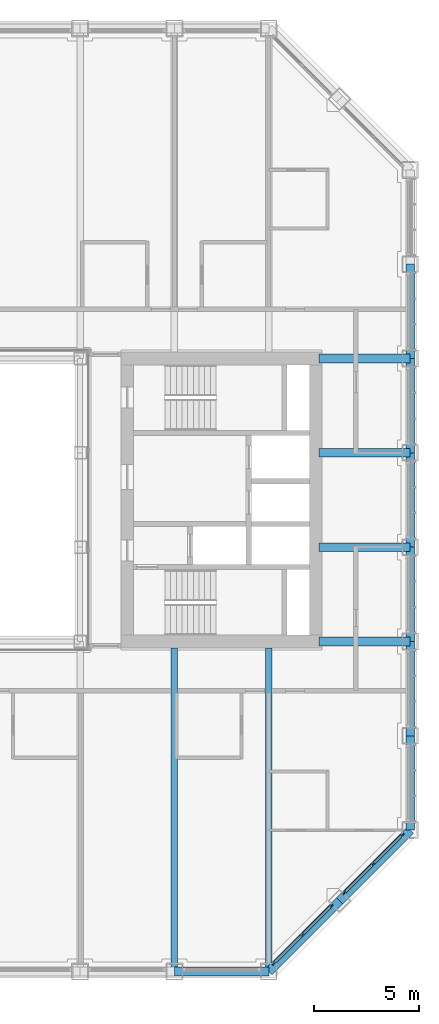
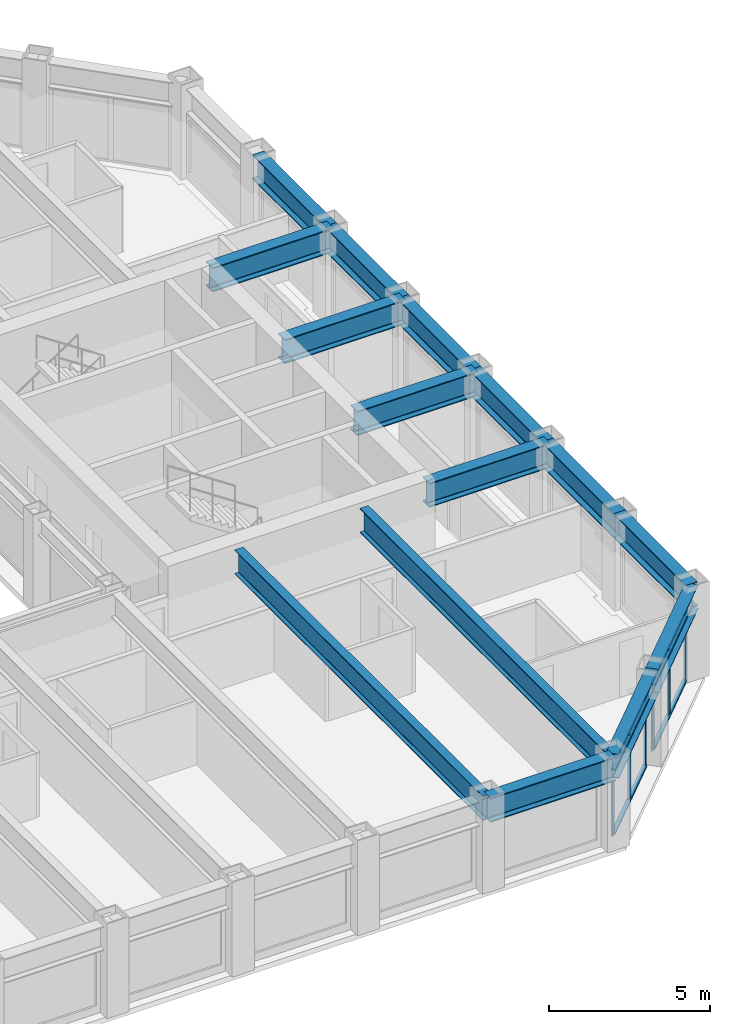
# One storey, part 6 of 17: 15 beams, 14 members, 2 elements without a shape of their own.
"""IFC4 building model written with IfcOpenShell, lengths in metres."""

from ifc_helpers import new_model, si_unit, direction, frame, origin, origin_2d, place, context, subcontext, project, spatial, rectangle, i_section, extrude, material, material_profile, profile_set, type_object, element, aggregate, save


model = new_model("IFC4")

# Units and contexts
model_context = context("Model", 3, precision=1e-05, world=origin(), true_north=direction((0.0, 1.0)))
body_context = subcontext(model_context, "Body", "Model", "MODEL_VIEW")
ifc_project = project(units=[si_unit("LENGTHUNIT", "METRE"), si_unit("AREAUNIT", "SQUARE_METRE"), si_unit("VOLUMEUNIT", "CUBIC_METRE"), si_unit("PLANEANGLEUNIT", "RADIAN"), si_unit("MASSUNIT", "GRAM", prefix="KILO")], contexts=[model_context])

# Site, building, storey
site_placement = place(None, origin())
site = spatial("IfcSite", under=ifc_project, at=site_placement, CompositionType="ELEMENT")
building_placement = place(site_placement, origin())
building = spatial("IfcBuilding", under=site, at=building_placement, Name="Msasa Ring Tower", CompositionType="ELEMENT")
storey_placement = place(building_placement, frame((0.0, 0.0, 154.39990234375)))
storey = spatial("IfcBuildingStorey", under=building, at=storey_placement, Name="L40", CompositionType="ELEMENT", Elevation=154.39990234375)

# Curtain wall, members
ifc_material_1 = material(Name="Aluminium curtain wall with clear glass", Category="aluminium")
curtain_wall_type = type_object("IfcCurtainWallType", Name="CW-C CHAMFER CORNER CURTAIN WALL", PredefinedType="NOTDEFINED", material=ifc_material_1)
curtain_wall_1_placement = place(storey_placement, origin())
curtain_wall_1 = element("IfcCurtainWall", 1, at=curtain_wall_1_placement, inside=storey, type_object=curtain_wall_type, Name="Chamfer corner curtain wall SE L40", PredefinedType="NOTDEFINED")
ifc_material_2 = material(Name="Aluminium mullion", Category="aluminium")
ifc_material_profile_1 = material_profile(ifc_material_2, rectangle(XDim=0.06494140625, YDim=0.179931640625, at=origin_2d()), Name="AL 65x180")
ifc_profile_set_1 = profile_set([ifc_material_profile_1], Name="Aluminium mullion")
member_type_1 = type_object("IfcMemberType", Name="CW-C MULLION 65x180", PredefinedType="MULLION", material=ifc_profile_set_1)
member_1_placement = place(storey_placement, frame((15.98876953125, -22.119873046875, 0.0), z_axis=(0.0, 0.0, 1.0), x_axis=(-0.707106781187, 0.707106781187, 0.0)))
member_1 = element("IfcMember", 2, at=member_1_placement, type_object=member_type_1, Name="CW-C mullion 1", PredefinedType="MULLION", context=body_context, shape_type="SweptSolid", body=[
    extrude(rectangle(XDim=0.06494140625, YDim=0.179931640625, at=origin_2d()), origin(), (0.0, 0.0, 1.0), 2.47900390625),
])
member_2_placement = place(storey_placement, frame((17.36669921875, -20.74169921875, 0.0), z_axis=(0.0, 0.0, 1.0), x_axis=(-0.707106781187, 0.707106781187, 0.0)))
member_2 = element("IfcMember", 3, at=member_2_placement, type_object=member_type_1, Name="CW-C mullion 2", PredefinedType="MULLION", context=body_context, shape_type="SweptSolid", body=[
    extrude(rectangle(XDim=0.06494140625, YDim=0.179931640625, at=origin_2d()), origin(), (0.0, 0.0, 1.0), 2.47900390625),
])
member_3_placement = place(storey_placement, frame((18.744873046875, -19.36376953125, 0.0), z_axis=(0.0, 0.0, 1.0), x_axis=(-0.707106781187, 0.707106781187, 0.0)))
member_3 = element("IfcMember", 4, at=member_3_placement, type_object=member_type_1, Name="CW-C mullion 3", PredefinedType="MULLION", context=body_context, shape_type="SweptSolid", body=[
    extrude(rectangle(XDim=0.06494140625, YDim=0.179931640625, at=origin_2d()), origin(), (0.0, 0.0, 1.0), 2.47900390625),
])

curtain_wall_2_placement = place(storey_placement, origin())
curtain_wall_2 = element("IfcCurtainWall", 5, at=curtain_wall_2_placement, inside=storey, type_object=curtain_wall_type, Name="Chamfer corner curtain wall SE L40", PredefinedType="NOTDEFINED")
member_4_placement = place(storey_placement, frame((19.36376953125, -18.744873046875, 0.0), z_axis=(0.0, 0.0, 1.0), x_axis=(-0.707106781187, 0.707106781187, 0.0)))
member_4 = element("IfcMember", 6, at=member_4_placement, type_object=member_type_1, Name="CW-C mullion 1", PredefinedType="MULLION", context=body_context, shape_type="SweptSolid", body=[
    extrude(rectangle(XDim=0.06494140625, YDim=0.179931640625, at=origin_2d()), origin(), (0.0, 0.0, 1.0), 2.47900390625),
])
member_5_placement = place(storey_placement, frame((20.74169921875, -17.36669921875, 0.0), z_axis=(0.0, 0.0, 1.0), x_axis=(-0.707106781187, 0.707106781187, 0.0)))
member_5 = element("IfcMember", 7, at=member_5_placement, type_object=member_type_1, Name="CW-C mullion 2", PredefinedType="MULLION", context=body_context, shape_type="SweptSolid", body=[
    extrude(rectangle(XDim=0.06494140625, YDim=0.179931640625, at=origin_2d()), origin(), (0.0, 0.0, 1.0), 2.47900390625),
])
member_6_placement = place(storey_placement, frame((22.119873046875, -15.98876953125, 0.0), z_axis=(0.0, 0.0, 1.0), x_axis=(-0.707106781187, 0.707106781187, 0.0)))
member_6 = element("IfcMember", 8, at=member_6_placement, type_object=member_type_1, Name="CW-C mullion 3", PredefinedType="MULLION", context=body_context, shape_type="SweptSolid", body=[
    extrude(rectangle(XDim=0.06494140625, YDim=0.179931640625, at=origin_2d()), origin(), (0.0, 0.0, 1.0), 2.47900390625),
])

# Member
ifc_material_3 = material(Name="Aluminium transom", Category="aluminium")
ifc_material_profile_2 = material_profile(ifc_material_3, rectangle(XDim=0.139892578125, YDim=0.06494140625, at=origin_2d()), Name="AL 65x140")
ifc_profile_set_2 = profile_set([ifc_material_profile_2], Name="Aluminium transom")
member_type_2 = type_object("IfcMemberType", Name="CW-C TRANSOM 65x140", PredefinedType="USERDEFINED", material=ifc_profile_set_2)
member_7_placement = place(storey_placement, frame((16.01171875, -22.096923828125, 0.03271484375), z_axis=(0.707106781187, 0.707106781187, 0.0), x_axis=(-0.707106781187, 0.707106781187, 0.0)))
member_7 = element("IfcMember", 9, at=member_7_placement, type_object=member_type_2, Name="CW-C transom 1.1", ObjectType="TRANSOM", PredefinedType="USERDEFINED", context=body_context, shape_type="SweptSolid", body=[
    extrude(rectangle(XDim=0.139892578125, YDim=0.06494140625, at=origin_2d()), origin(), (0.0, 0.0, 1.0), 1.8837890625),
])

member_8_placement = place(storey_placement, frame((16.01171875, -22.096923828125, 2.446533203125), z_axis=(0.707106781187, 0.707106781187, 0.0), x_axis=(-0.707106781187, 0.707106781187, 0.0)))
member_8 = element("IfcMember", 10, at=member_8_placement, type_object=member_type_2, Name="CW-C transom 1.2", ObjectType="TRANSOM", PredefinedType="USERDEFINED", context=body_context, shape_type="SweptSolid", body=[
    extrude(rectangle(XDim=0.139892578125, YDim=0.06494140625, at=origin_2d()), origin(), (0.0, 0.0, 1.0), 1.8837890625),
])

member_9_placement = place(storey_placement, frame((17.389892578125, -20.71875, 0.03271484375), z_axis=(0.707106781187, 0.707106781187, 0.0), x_axis=(-0.707106781187, 0.707106781187, 0.0)))
member_9 = element("IfcMember", 11, at=member_9_placement, type_object=member_type_2, Name="CW-C transom 2.1", ObjectType="TRANSOM", PredefinedType="USERDEFINED", context=body_context, shape_type="SweptSolid", body=[
    extrude(rectangle(XDim=0.139892578125, YDim=0.06494140625, at=origin_2d()), origin(), (0.0, 0.0, 1.0), 1.8837890625),
])

member_10_placement = place(storey_placement, frame((17.389892578125, -20.71875, 2.446533203125), z_axis=(0.707106781187, 0.707106781187, 0.0), x_axis=(-0.707106781187, 0.707106781187, 0.0)))
member_10 = element("IfcMember", 12, at=member_10_placement, type_object=member_type_2, Name="CW-C transom 2.2", ObjectType="TRANSOM", PredefinedType="USERDEFINED", context=body_context, shape_type="SweptSolid", body=[
    extrude(rectangle(XDim=0.139892578125, YDim=0.06494140625, at=origin_2d()), origin(), (0.0, 0.0, 1.0), 1.8837890625),
])

aggregate(curtain_wall_1, [member_1, member_2, member_3, member_7, member_8, member_9, member_10])

member_11_placement = place(storey_placement, frame((19.38671875, -18.721923828125, 0.03271484375), z_axis=(0.707106781187, 0.707106781187, 0.0), x_axis=(-0.707106781187, 0.707106781187, 0.0)))
member_11 = element("IfcMember", 13, at=member_11_placement, type_object=member_type_2, Name="CW-C transom 1.1", ObjectType="TRANSOM", PredefinedType="USERDEFINED", context=body_context, shape_type="SweptSolid", body=[
    extrude(rectangle(XDim=0.139892578125, YDim=0.06494140625, at=origin_2d()), origin(), (0.0, 0.0, 1.0), 1.8837890625),
])

member_12_placement = place(storey_placement, frame((19.38671875, -18.721923828125, 2.446533203125), z_axis=(0.707106781187, 0.707106781187, 0.0), x_axis=(-0.707106781187, 0.707106781187, 0.0)))
member_12 = element("IfcMember", 14, at=member_12_placement, type_object=member_type_2, Name="CW-C transom 1.2", ObjectType="TRANSOM", PredefinedType="USERDEFINED", context=body_context, shape_type="SweptSolid", body=[
    extrude(rectangle(XDim=0.139892578125, YDim=0.06494140625, at=origin_2d()), origin(), (0.0, 0.0, 1.0), 1.8837890625),
])

member_13_placement = place(storey_placement, frame((20.764892578125, -17.34375, 0.03271484375), z_axis=(0.707106781187, 0.707106781187, 0.0), x_axis=(-0.707106781187, 0.707106781187, 0.0)))
member_13 = element("IfcMember", 15, at=member_13_placement, type_object=member_type_2, Name="CW-C transom 2.1", ObjectType="TRANSOM", PredefinedType="USERDEFINED", context=body_context, shape_type="SweptSolid", body=[
    extrude(rectangle(XDim=0.139892578125, YDim=0.06494140625, at=origin_2d()), origin(), (0.0, 0.0, 1.0), 1.8837890625),
])

member_14_placement = place(storey_placement, frame((20.764892578125, -17.34375, 2.446533203125), z_axis=(0.707106781187, 0.707106781187, 0.0), x_axis=(-0.707106781187, 0.707106781187, 0.0)))
member_14 = element("IfcMember", 16, at=member_14_placement, type_object=member_type_2, Name="CW-C transom 2.2", ObjectType="TRANSOM", PredefinedType="USERDEFINED", context=body_context, shape_type="SweptSolid", body=[
    extrude(rectangle(XDim=0.139892578125, YDim=0.06494140625, at=origin_2d()), origin(), (0.0, 0.0, 1.0), 1.8837890625),
])

aggregate(curtain_wall_2, [member_4, member_5, member_6, member_11, member_12, member_13, member_14])

# Beams
ifc_material_4 = material(Name="Steel S355", Category="steel")
ifc_material_profile_3 = material_profile(ifc_material_4, i_section(OverallWidth=0.42041015625, OverallDepth=0.9208984375, WebThickness=0.021484375, FlangeThickness=0.03662109375, FilletRadius=0.024169921875, at=origin_2d()), Name="UB 914x419x388")
ifc_profile_set_3 = profile_set([ifc_material_profile_3], Name="Steel S355")
beam_type_1 = type_object("IfcBeamType", Name="FB2 UB 914x419x388", PredefinedType="BEAM", material=ifc_profile_set_3)
for number, where, z_axis, x_axis, name in (
    (17, (22.5, -2.25, 2.939697265625), (-1.0, 0.0, 0.0), (0.0, -1.0, 0.0), "Floor beam E -2.25 under L41"),
    (18, (22.5, 2.25, 2.939697265625), (-1.0, 0.0, 0.0), (0.0, -1.0, 0.0), "Floor beam E +2.25 under L41"),
):
    element("IfcBeam", number, at=place(storey_placement, frame(where, z_axis=z_axis, x_axis=x_axis)), inside=storey, type_object=beam_type_1, Name=name, PredefinedType="BEAM", context=body_context, shape_type="SweptSolid", body=[
        extrude(i_section(OverallWidth=0.42041015625, OverallDepth=0.9208984375, WebThickness=0.021484375, FlangeThickness=0.03662109375, FilletRadius=0.024169921875, at=origin_2d()), origin(), (0.0, 0.0, 1.0), 4.35009765625),
    ])
ifc_material_5 = material(Name="Steel S355", Category="steel")
ifc_material_profile_4 = material_profile(ifc_material_5, i_section(OverallWidth=0.3076171875, OverallDepth=0.926513671875, WebThickness=0.01953125, FlangeThickness=0.031982421875, FilletRadius=0.01904296875, at=origin_2d()), Name="UB 914x305x289")
ifc_profile_set_4 = profile_set([ifc_material_profile_4], Name="Steel S355")
beam_type_2 = type_object("IfcBeamType", Name="FB3 UB 914x305x289", PredefinedType="BEAM", material=ifc_profile_set_4)
for number, where, z_axis, x_axis, name in (
    (19, (11.25, -22.5, 2.936767578125), (0.0, 1.0, 0.0), (-1.0, 0.0, 0.0), "Floor beam S+11.25 under L41"),
    (20, (15.75, -22.5, 2.936767578125), (0.0, 1.0, 0.0), (-1.0, 0.0, 0.0), "Floor beam S+15.75 under L41"),
):
    element("IfcBeam", number, at=place(storey_placement, frame(where, z_axis=z_axis, x_axis=x_axis)), inside=storey, type_object=beam_type_2, Name=name, PredefinedType="BEAM", context=body_context, shape_type="SweptSolid", body=[
        extrude(i_section(OverallWidth=0.3076171875, OverallDepth=0.926513671875, WebThickness=0.01953125, FlangeThickness=0.031982421875, FilletRadius=0.01904296875, at=origin_2d()), origin(), (0.0, 0.0, 1.0), 15.449951171875),
    ])
ifc_material_6 = material(Name="Steel S355", Category="steel")
ifc_material_profile_5 = material_profile(ifc_material_6, i_section(OverallWidth=0.42041015625, OverallDepth=0.9208984375, WebThickness=0.021484375, FlangeThickness=0.03662109375, FilletRadius=0.024169921875, at=origin_2d()), Name="UB 914x419x388")
ifc_profile_set_5 = profile_set([ifc_material_profile_5], Name="Steel S355")
beam_type_3 = type_object("IfcBeamType", Name="GB1 UB 914x419x388", PredefinedType="BEAM", material=ifc_profile_set_5)
for number, where, z_axis, x_axis, name in (
    (21, (18.14990234375, 6.75, 2.939697265625), (1.0, 0.0, 0.0), (0.0, 1.0, 0.0), "Girder E +6.75 under L41"),
    (22, (18.14990234375, -6.75, 2.939697265625), (1.0, 0.0, 0.0), (0.0, 1.0, 0.0), "Girder E -6.75 under L41"),
):
    element("IfcBeam", number, at=place(storey_placement, frame(where, z_axis=z_axis, x_axis=x_axis)), inside=storey, type_object=beam_type_3, Name=name, PredefinedType="BEAM", context=body_context, shape_type="SweptSolid", body=[
        extrude(i_section(OverallWidth=0.42041015625, OverallDepth=0.9208984375, WebThickness=0.021484375, FlangeThickness=0.03662109375, FilletRadius=0.024169921875, at=origin_2d()), origin(), (0.0, 0.0, 1.0), 4.35009765625),
    ])
ifc_material_7 = material(Name="Steel S355", Category="steel")
ifc_material_profile_6 = material_profile(ifc_material_7, i_section(OverallWidth=0.42041015625, OverallDepth=0.9208984375, WebThickness=0.021484375, FlangeThickness=0.03662109375, FilletRadius=0.024169921875, at=origin_2d()), Name="UB 914x419x388")
ifc_profile_set_6 = profile_set([ifc_material_profile_6], Name="Steel S355")
beam_type_4 = type_object("IfcBeamType", Name="SB1 UB 914x419x388", PredefinedType="SPANDREL", material=ifc_profile_set_6)
beam_placement = place(storey_placement, frame((11.25, -22.5, 2.939697265625), z_axis=(1.0, 0.0, 0.0), x_axis=(0.0, 1.0, 0.0)))
element("IfcBeam", 23, at=beam_placement, inside=storey, type_object=beam_type_4, Name="Spandrel S+11.25 to S+15.75 under L41", PredefinedType="SPANDREL", context=body_context, shape_type="SweptSolid", body=[
    extrude(i_section(OverallWidth=0.42041015625, OverallDepth=0.9208984375, WebThickness=0.021484375, FlangeThickness=0.03662109375, FilletRadius=0.024169921875, at=origin_2d()), origin(), (0.0, 0.0, 1.0), 4.5),
])
for number, where, z_axis, x_axis, name in (
    (24, (15.75, -22.5, 2.939697265625), (0.707106781187, 0.707106781187, 0.0), (-0.707106781187, 0.707106781187, 0.0), "Spandrel S+15.75 to SE under L41"),
    (25, (19.125, -19.125, 2.939697265625), (0.707106781187, 0.707106781187, 0.0), (-0.707106781187, 0.707106781187, 0.0), "Spandrel SE to E-15.75 under L41"),
):
    element("IfcBeam", number, at=place(storey_placement, frame(where, z_axis=z_axis, x_axis=x_axis)), inside=storey, type_object=beam_type_4, Name=name, PredefinedType="SPANDREL", context=body_context, shape_type="SweptSolid", body=[
        extrude(i_section(OverallWidth=0.42041015625, OverallDepth=0.9208984375, WebThickness=0.021484375, FlangeThickness=0.03662109375, FilletRadius=0.024169921875, at=origin_2d()), origin(), (0.0, 0.0, 1.0), 4.77294921875),
    ])
for number, where, z_axis, x_axis, name in (
    (26, (22.5, -15.75, 2.939697265625), (0.0, 1.0, 0.0), (-1.0, 0.0, 0.0), "Spandrel E-15.75 to E-11.25 under L41"),
    (27, (22.5, -11.25, 2.939697265625), (0.0, 1.0, 0.0), (-1.0, 0.0, 0.0), "Spandrel E-11.25 to E-6.75 under L41"),
    (28, (22.5, -6.75, 2.939697265625), (0.0, 1.0, 0.0), (-1.0, 0.0, 0.0), "Spandrel E-6.75 to E-2.25 under L41"),
    (29, (22.5, -2.25, 2.939697265625), (0.0, 1.0, 0.0), (-1.0, 0.0, 0.0), "Spandrel E-2.25 to E+2.25 under L41"),
    (30, (22.5, 2.25, 2.939697265625), (0.0, 1.0, 0.0), (-1.0, 0.0, 0.0), "Spandrel E+2.25 to E+6.75 under L41"),
    (31, (22.5, 6.75, 2.939697265625), (0.0, 1.0, 0.0), (-1.0, 0.0, 0.0), "Spandrel E+6.75 to E+11.25 under L41"),
):
    element("IfcBeam", number, at=place(storey_placement, frame(where, z_axis=z_axis, x_axis=x_axis)), inside=storey, type_object=beam_type_4, Name=name, PredefinedType="SPANDREL", context=body_context, shape_type="SweptSolid", body=[
        extrude(i_section(OverallWidth=0.42041015625, OverallDepth=0.9208984375, WebThickness=0.021484375, FlangeThickness=0.03662109375, FilletRadius=0.024169921875, at=origin_2d()), origin(), (0.0, 0.0, 1.0), 4.5),
    ])

save(model, "model.ifc")
